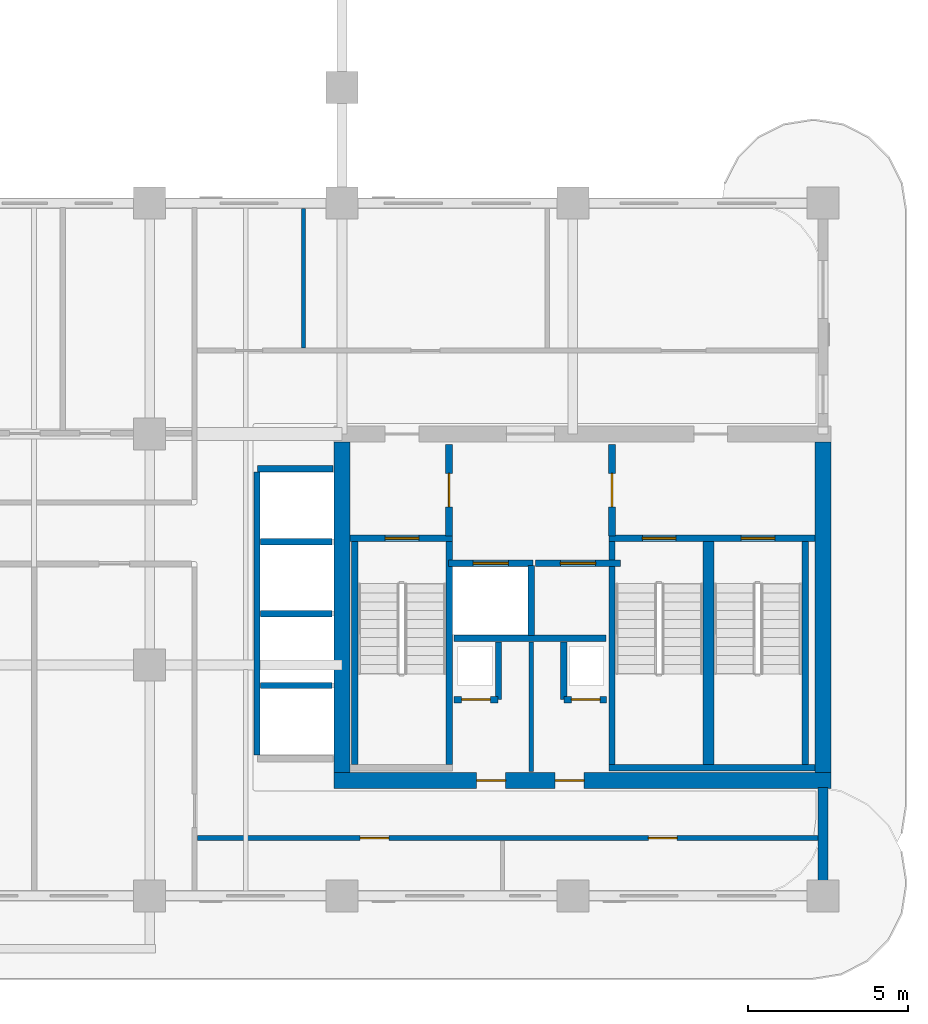
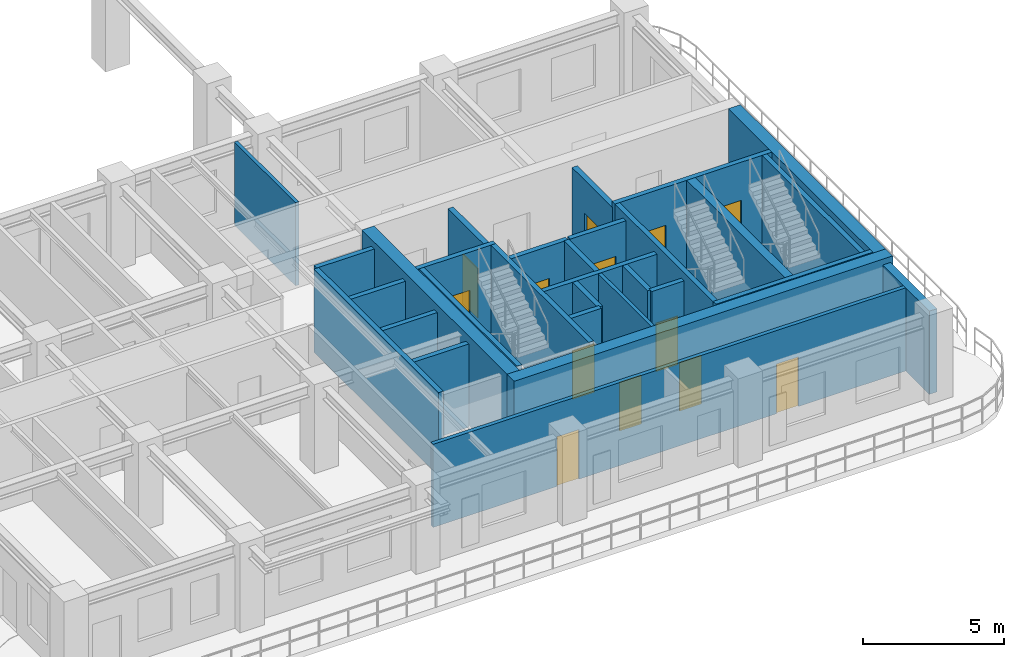
# One storey, part 7 of 15: 30 walls, 13 doors, 13 openings.
"""IFC4 building model written with IfcOpenShell, lengths in metres."""

from ifc_helpers import new_model, si_unit, derived_unit, direction, frame, frame_2d, origin, place, context, subcontext, project, spatial, rectangle, extrude, source, transform, mapped, material, layer, layer_set, type_object, type_shapes, element, fill, save


model = new_model("IFC4")

# Units and contexts
model_context = context("Model", 3, precision=1e-05, world=origin(), true_north=direction((0.0, 1.0)))
body_context = subcontext(model_context, "Body", "Model", "MODEL_VIEW")
ifc_project = project(units=[si_unit("LENGTHUNIT", "METRE"), si_unit("AREAUNIT", "SQUARE_METRE"), si_unit("VOLUMEUNIT", "CUBIC_METRE"), si_unit("PLANEANGLEUNIT", "RADIAN"), si_unit("MASSUNIT", "GRAM", prefix="KILO"), si_unit("THERMODYNAMICTEMPERATUREUNIT", "KELVIN"), si_unit("POWERUNIT", "WATT"), derived_unit("THERMALTRANSMITTANCEUNIT", [(si_unit("POWERUNIT", "WATT"), 1), (si_unit("AREAUNIT", "SQUARE_METRE"), -1), (si_unit("THERMODYNAMICTEMPERATUREUNIT", "KELVIN"), -1)])], contexts=[model_context])

# Site, building, storey
site_placement = place(None, origin())
site = spatial("IfcSite", under=ifc_project, at=site_placement, CompositionType="ELEMENT")
building_placement = place(site_placement, origin())
building = spatial("IfcBuilding", under=site, at=building_placement, Name="Zahravan Archway Hotel and Residences", CompositionType="ELEMENT")
storey_placement = place(building_placement, frame((0.0, 0.0, 184.949951171875)))
storey = spatial("IfcBuildingStorey", under=building, at=storey_placement, Name="L46", CompositionType="ELEMENT", Elevation=184.949951171875)

# Wall, openings, doors
ifc_material_1 = material(Name="Concrete C60/75", Category="concrete")
ifc_layer_1 = layer(ifc_material_1, 0.5, Name="Concrete C60/75", Category="concrete")
ifc_layer_set_1 = layer_set([ifc_layer_1], Name="Concrete C60/75")
wall_type_1 = type_object("IfcWallType", Name="CW-CORE-500", PredefinedType="SHEAR", material=ifc_layer_set_1)
wall_1_placement = place(storey_placement, frame((34.550048828125, 3.60009765625, 0.0), z_axis=(0.0, 0.0, 1.0), x_axis=(1.0, 0.0, 0.0)))
wall_1 = element("IfcWall", 1, at=wall_1_placement, inside=storey, type_object=wall_type_1, Name="L46 Core A Shear S Wall 500 mm", PredefinedType="SHEAR", context=body_context, shape_type="SweptSolid", body=[
    extrude(rectangle(XDim=15.5, YDim=0.5, at=frame_2d((7.75, 0.0))), origin(), (0.0, 0.0, 1.0), 3.85009765625),
])
opening_1_placement = place(wall_1_placement, frame((4.449951171875, 0.0, 0.0)))
opening_1 = element("IfcOpeningElement", 2, at=opening_1_placement, cuts=wall_1, Name="Opening FD-R1", PredefinedType="OPENING", context=body_context, shape_type="SweptSolid", body=[
    extrude(rectangle(XDim=0.89990234375, YDim=2.10009765625, at=frame_2d((0.449951171875, 1.050048828125))), frame((0.0, 0.260009765625, 0.0), z_axis=(0.0, -1.0, 0.0), x_axis=(1.0, 0.0, 0.0)), (0.0, 0.0, 1.0), 0.52001953125),
])
opening_2_placement = place(wall_1_placement, frame((6.89990234375, 0.0, 0.0)))
opening_2 = element("IfcOpeningElement", 3, at=opening_2_placement, cuts=wall_1, Name="Opening FD-R1", PredefinedType="OPENING", context=body_context, shape_type="SweptSolid", body=[
    extrude(rectangle(XDim=0.89990234375, YDim=2.10009765625, at=frame_2d((0.449951171875, 1.050048828125))), frame((0.0, 0.260009765625, 0.0), z_axis=(0.0, -1.0, 0.0), x_axis=(1.0, 0.0, 0.0)), (0.0, 0.0, 1.0), 0.52001953125),
])
ifc_material_2 = material(Name="Fire-Rated Painted Steel", Category="steel")
door_type_1 = type_object("IfcDoorType", Name="FD-RISER-900", OperationType="NOTDEFINED", PredefinedType="DOOR", material=ifc_material_2)
shared_shape_1 = source(origin(), body_context, "Body", "SweptSolid", [
    extrude(rectangle(XDim=0.89990234375, YDim=2.10009765625, at=frame_2d((0.449951171875, 1.050048828125))), frame((0.0, 0.02490234375, 0.0), z_axis=(0.0, -1.0, 0.0), x_axis=(1.0, 0.0, 0.0)), (0.0, 0.0, 1.0), 0.050048828125),
])
type_shapes(door_type_1, [shared_shape_1])
door_1_placement = place(opening_1_placement, origin())
door_1 = element("IfcDoor", 4, at=door_1_placement, inside=storey, type_object=door_type_1, Name="L46 Electrical Switchgear Door", OperationType="SINGLE_SWING_RIGHT", OverallHeight=2.10009765625, OverallWidth=0.89990234375, PredefinedType="DOOR", context=body_context, shape_type="MappedRepresentation", body=[
    mapped(shared_shape_1, transform((0.0, 0.0, 0.0), scale=1.0)),
])
fill(opening_1, door_1)
door_2_placement = place(opening_2_placement, origin())
door_2 = element("IfcDoor", 5, at=door_2_placement, inside=storey, type_object=door_type_1, Name="L46 Telecom BMS Door", OperationType="SINGLE_SWING_LEFT", OverallHeight=2.10009765625, OverallWidth=0.89990234375, PredefinedType="DOOR", context=body_context, shape_type="MappedRepresentation", body=[
    mapped(shared_shape_1, transform((0.0, 0.0, 0.0), scale=1.0)),
])
fill(opening_2, door_2)

# Walls
for number, where, z_axis, x_axis, name in (
    (6, (34.800048828125, 3.85009765625, 0.0), (0.0, 0.0, 1.0), (0.0, 1.0, 0.0), "L46 Core A Shear W Wall 500 mm"),
    (7, (49.800048828125, 3.85009765625, 0.0), (0.0, 0.0, 1.0), (0.0, 1.0, 0.0), "L46 Core A Shear E Wall 500 mm"),
):
    element("IfcWall", number, at=place(storey_placement, frame(where, z_axis=z_axis, x_axis=x_axis)), inside=storey, type_object=wall_type_1, Name=name, PredefinedType="SHEAR", context=body_context, shape_type="SweptSolid", body=[
        extrude(rectangle(XDim=10.2998046875, YDim=0.5, at=frame_2d((5.14990234375, 0.0))), origin(), (0.0, 0.0, 1.0), 3.85009765625),
    ])
ifc_material_3 = material(Name="Agra Buff Sandstone & Insulated Backup", Category="masonry")
ifc_layer_2 = layer(ifc_material_3, 0.320068359375, Name="Agra Buff Sandstone & Insulated Backup", Category="masonry")
ifc_layer_set_2 = layer_set([ifc_layer_2], Name="Agra Buff Sandstone & Insulated Backup")
wall_type_2 = type_object("IfcWallType", Name="EW-SAND-320", PredefinedType="SOLIDWALL", material=ifc_layer_set_2)
wall_2_placement = place(storey_placement, frame((49.800048828125, 0.050048828125, 0.0), z_axis=(0.0, 0.0, 1.0), x_axis=(0.0, 1.0, 0.0)))
element("IfcWall", 8, at=wall_2_placement, inside=storey, type_object=wall_type_2, Name="L46 Exterior Sandstone Wall WA-ES", PredefinedType="SOLIDWALL", context=body_context, shape_type="SweptSolid", body=[
    extrude(rectangle(XDim=3.329833984375, YDim=0.320068359375, at=frame_2d((1.6650390625, 0.0))), origin(), (0.0, 0.0, 1.0), 3.60009765625),
])

# Wall, opening, door
ifc_material_4 = material(Name="Fire-Rated Gypsum & Concrete Block", Category="concrete")
ifc_layer_3 = layer(ifc_material_4, 0.219970703125, Name="Fire-Rated Gypsum & Concrete Block", Category="concrete")
ifc_layer_set_3 = layer_set([ifc_layer_3], Name="Fire-Rated Gypsum & Concrete Block")
wall_type_3 = type_object("IfcWallType", Name="PW-COMP-220", PredefinedType="PARTITIONING", material=ifc_layer_set_3)
wall_3_placement = place(storey_placement, frame((38.139892578125, 11.219970703125, 0.0), z_axis=(0.0, 0.0, 1.0), x_axis=(0.0, 1.0, 0.0)))
wall_3 = element("IfcWall", 9, at=wall_3_placement, inside=storey, type_object=wall_type_3, Name="L46 Partition CA-LOBW", PredefinedType="PARTITIONING", context=body_context, shape_type="SweptSolid", body=[
    extrude(rectangle(XDim=2.860107421875, YDim=0.219970703125, at=frame_2d((1.43017578125, 0.0))), origin(), (0.0, 0.0, 1.0), 3.60009765625),
])
opening_3_placement = place(wall_3_placement, frame((0.905029296875, 0.0, 0.0)))
opening_3 = element("IfcOpeningElement", 10, at=opening_3_placement, cuts=wall_3, Name="Opening FD-L2", PredefinedType="OPENING", context=body_context, shape_type="SweptSolid", body=[
    extrude(rectangle(XDim=1.050048828125, YDim=2.14990234375, at=frame_2d((0.52490234375, 1.074951171875))), frame((0.0, 0.1201171875, 0.0), z_axis=(0.0, -1.0, 0.0), x_axis=(1.0, 0.0, 0.0)), (0.0, 0.0, 1.0), 0.239990234375),
])
door_type_2 = type_object("IfcDoorType", Name="FD-LOBBY-1100", OperationType="NOTDEFINED", PredefinedType="DOOR", material=ifc_material_2)
shared_shape_2 = source(origin(), body_context, "Body", "SweptSolid", [
    extrude(rectangle(XDim=1.050048828125, YDim=2.14990234375, at=frame_2d((0.52490234375, 1.074951171875))), frame((0.0, 0.02490234375, 0.0), z_axis=(0.0, -1.0, 0.0), x_axis=(1.0, 0.0, 0.0)), (0.0, 0.0, 1.0), 0.050048828125),
])
type_shapes(door_type_2, [shared_shape_2])
door_3_placement = place(opening_3_placement, origin())
door_3 = element("IfcDoor", 11, at=door_3_placement, inside=storey, type_object=door_type_2, Name="L46 Core A West Stair to FSAE Lobby Door", OperationType="SINGLE_SWING_RIGHT", OverallHeight=2.14990234375, OverallWidth=1.050048828125, PredefinedType="DOOR", context=body_context, shape_type="MappedRepresentation", body=[
    mapped(shared_shape_2, transform((0.0, 0.0, 0.0), scale=1.0)),
])
fill(opening_3, door_3)

wall_4_placement = place(storey_placement, frame((43.219970703125, 11.219970703125, 0.0), z_axis=(0.0, 0.0, 1.0), x_axis=(0.0, 1.0, 0.0)))
wall_4 = element("IfcWall", 12, at=wall_4_placement, inside=storey, type_object=wall_type_3, Name="L46 Partition CA-LOBE", PredefinedType="PARTITIONING", context=body_context, shape_type="SweptSolid", body=[
    extrude(rectangle(XDim=2.860107421875, YDim=0.219970703125, at=frame_2d((1.43017578125, 0.0))), origin(), (0.0, 0.0, 1.0), 3.60009765625),
])
opening_4_placement = place(wall_4_placement, frame((0.905029296875, 0.0, 0.0)))
opening_4 = element("IfcOpeningElement", 13, at=opening_4_placement, cuts=wall_4, Name="Opening FD-L2", PredefinedType="OPENING", context=body_context, shape_type="SweptSolid", body=[
    extrude(rectangle(XDim=1.050048828125, YDim=2.14990234375, at=frame_2d((0.52490234375, 1.074951171875))), frame((0.0, 0.1201171875, 0.0), z_axis=(0.0, -1.0, 0.0), x_axis=(1.0, 0.0, 0.0)), (0.0, 0.0, 1.0), 0.239990234375),
])
door_4_placement = place(opening_4_placement, origin())
door_4 = element("IfcDoor", 14, at=door_4_placement, inside=storey, type_object=door_type_2, Name="L46 Core A East Stair to FSAE Lobby Door", OperationType="SINGLE_SWING_LEFT", OverallHeight=2.14990234375, OverallWidth=1.050048828125, PredefinedType="DOOR", context=body_context, shape_type="MappedRepresentation", body=[
    mapped(shared_shape_2, transform((0.0, 0.0, 0.0), scale=1.0)),
])
fill(opening_4, door_4)

# Wall, openings, doors
ifc_layer_4 = layer(ifc_material_4, 0.159912109375, Name="Fire-Rated Gypsum & Concrete Block", Category="concrete")
ifc_layer_set_4 = layer_set([ifc_layer_4], Name="Fire-Rated Gypsum & Concrete Block")
wall_type_4 = type_object("IfcWallType", Name="PW-CORR-160", PredefinedType="PARTITIONING", material=ifc_layer_set_4)
wall_5_placement = place(storey_placement, frame((30.2900390625, 1.800048828125, 0.0), z_axis=(0.0, 0.0, 1.0), x_axis=(1.0, 0.0, 0.0)))
wall_5 = element("IfcWall", 15, at=wall_5_placement, inside=storey, type_object=wall_type_4, Name="L46 Partition WA-SRS", PredefinedType="PARTITIONING", context=body_context, shape_type="SweptSolid", body=[
    extrude(rectangle(XDim=19.369873046875, YDim=0.159912109375, at=frame_2d((9.68505859375, 0.0))), origin(), (0.0, 0.0, 1.0), 3.60009765625),
])
opening_5_placement = place(wall_5_placement, frame((5.07421875, 0.0, 0.0)))
opening_5 = element("IfcOpeningElement", 16, at=opening_5_placement, cuts=wall_5, Name="Opening D-I2", PredefinedType="OPENING", context=body_context, shape_type="SweptSolid", body=[
    extrude(rectangle(XDim=0.89990234375, YDim=2.14990234375, at=frame_2d((0.449951171875, 1.074951171875))), frame((0.0, 0.08984375, 0.0), z_axis=(0.0, -1.0, 0.0), x_axis=(1.0, 0.0, 0.0)), (0.0, 0.0, 1.0), 0.179931640625),
])
opening_6_placement = place(wall_5_placement, frame((14.06005859375, 0.0, 0.0)))
opening_6 = element("IfcOpeningElement", 17, at=opening_6_placement, cuts=wall_5, Name="Opening D-I2", PredefinedType="OPENING", context=body_context, shape_type="SweptSolid", body=[
    extrude(rectangle(XDim=0.89990234375, YDim=2.14990234375, at=frame_2d((0.449951171875, 1.074951171875))), frame((0.0, 0.08984375, 0.0), z_axis=(0.0, -1.0, 0.0), x_axis=(1.0, 0.0, 0.0)), (0.0, 0.0, 1.0), 0.179931640625),
])
ifc_material_5 = material(Name="Hardwood Veneer Timber", Category="wood")
door_type_3 = type_object("IfcDoorType", Name="ID-INT-900", OperationType="NOTDEFINED", PredefinedType="DOOR", material=ifc_material_5)
shared_shape_3 = source(origin(), body_context, "Body", "SweptSolid", [
    extrude(rectangle(XDim=0.89990234375, YDim=2.14990234375, at=frame_2d((0.449951171875, 1.074951171875))), frame((0.0, 0.02490234375, 0.0), z_axis=(0.0, -1.0, 0.0), x_axis=(1.0, 0.0, 0.0)), (0.0, 0.0, 1.0), 0.050048828125),
])
type_shapes(door_type_3, [shared_shape_3])
door_5_placement = place(opening_5_placement, origin())
door_5 = element("IfcDoor", 18, at=door_5_placement, inside=storey, type_object=door_type_3, Name="L46 South Study Door", OperationType="SINGLE_SWING_RIGHT", OverallHeight=2.14990234375, OverallWidth=0.89990234375, PredefinedType="DOOR", context=body_context, shape_type="MappedRepresentation", body=[
    mapped(shared_shape_3, transform((0.0, 0.0, 0.0), scale=1.0)),
])
fill(opening_5, door_5)
door_6_placement = place(opening_6_placement, origin())
door_6 = element("IfcDoor", 19, at=door_6_placement, inside=storey, type_object=door_type_3, Name="L46 South Pantry Door", OperationType="SINGLE_SWING_LEFT", OverallHeight=2.14990234375, OverallWidth=0.89990234375, PredefinedType="DOOR", context=body_context, shape_type="MappedRepresentation", body=[
    mapped(shared_shape_3, transform((0.0, 0.0, 0.0), scale=1.0)),
])
fill(opening_6, door_6)

# Walls
ifc_layer_5 = layer(ifc_material_4, 0.199951171875, Name="Fire-Rated Gypsum & Concrete Block", Category="concrete")
ifc_layer_set_5 = layer_set([ifc_layer_5], Name="Fire-Rated Gypsum & Concrete Block")
wall_type_5 = type_object("IfcWallType", Name="PW-SHAFT-200", PredefinedType="PARTITIONING", material=ifc_layer_set_5)
wall_6_placement = place(storey_placement, frame((38.300048828125, 8.030029296875, 0.0), z_axis=(0.0, 0.0, 1.0), x_axis=(1.0, 0.0, 0.0)))
element("IfcWall", 20, at=wall_6_placement, inside=storey, type_object=wall_type_5, Name="L46 Partition CA-FLS", PredefinedType="PARTITIONING", context=body_context, shape_type="SweptSolid", body=[
    extrude(rectangle(XDim=4.739990234375, YDim=0.199951171875, at=frame_2d((2.3701171875, 0.0))), origin(), (0.0, 0.0, 1.0), 3.60009765625),
])
wall_7_placement = place(storey_placement, frame((40.699951171875, 8.1201171875, 0.0), z_axis=(0.0, 0.0, 1.0), x_axis=(0.0, 1.0, 0.0)))
element("IfcWall", 21, at=wall_7_placement, inside=storey, type_object=wall_type_5, Name="L46 Partition CA-FLM", PredefinedType="PARTITIONING", context=body_context, shape_type="SweptSolid", body=[
    extrude(rectangle(XDim=2.179931640625, YDim=0.199951171875, at=frame_2d((1.08984375, 0.0))), origin(), (0.0, 0.0, 1.0), 3.60009765625),
])

# Wall, opening, door
wall_8_placement = place(storey_placement, frame((38.2900390625, 6.1201171875, 0.0), z_axis=(0.0, 0.0, 1.0), x_axis=(1.0, 0.0, 0.0)))
wall_8 = element("IfcWall", 22, at=wall_8_placement, inside=storey, type_object=wall_type_5, Name="L46 Partition CA-SMKS", PredefinedType="PARTITIONING", context=body_context, shape_type="SweptSolid", body=[
    extrude(rectangle(XDim=1.3798828125, YDim=0.199951171875, at=frame_2d((0.68994140625, 0.0))), origin(), (0.0, 0.0, 1.0), 3.60009765625),
])
opening_7_placement = place(wall_8_placement, frame((0.239990234375, 0.0, 0.0)))
opening_7 = element("IfcOpeningElement", 23, at=opening_7_placement, cuts=wall_8, Name="Opening FD-R1", PredefinedType="OPENING", context=body_context, shape_type="SweptSolid", body=[
    extrude(rectangle(XDim=0.89990234375, YDim=2.10009765625, at=frame_2d((0.449951171875, 1.050048828125))), frame((0.0, 0.10986328125, 0.0), z_axis=(0.0, -1.0, 0.0), x_axis=(1.0, 0.0, 0.0)), (0.0, 0.0, 1.0), 0.219970703125),
])
door_7_placement = place(opening_7_placement, origin())
door_7 = element("IfcDoor", 24, at=door_7_placement, inside=storey, type_object=door_type_1, Name="L46 Smoke Riser Access Door", OperationType="SINGLE_SWING_RIGHT", OverallHeight=2.10009765625, OverallWidth=0.89990234375, PredefinedType="DOOR", context=body_context, shape_type="MappedRepresentation", body=[
    mapped(shared_shape_1, transform((0.0, 0.0, 0.0), scale=1.0)),
])
fill(opening_7, door_7)

# Wall
wall_9_placement = place(storey_placement, frame((39.679931640625, 6.1298828125, 0.0), z_axis=(0.0, 0.0, 1.0), x_axis=(0.0, 1.0, 0.0)))
element("IfcWall", 25, at=wall_9_placement, inside=storey, type_object=wall_type_5, Name="L46 Partition CA-SMKE", PredefinedType="PARTITIONING", context=body_context, shape_type="SweptSolid", body=[
    extrude(rectangle(XDim=1.7900390625, YDim=0.199951171875, at=frame_2d((0.89501953125, 0.0))), origin(), (0.0, 0.0, 1.0), 3.60009765625),
])

# Wall, opening, door
wall_10_placement = place(storey_placement, frame((41.72998046875, 6.1201171875, 0.0), z_axis=(0.0, 0.0, 1.0), x_axis=(1.0, 0.0, 0.0)))
wall_10 = element("IfcWall", 26, at=wall_10_placement, inside=storey, type_object=wall_type_5, Name="L46 Partition CA-MEPS", PredefinedType="PARTITIONING", context=body_context, shape_type="SweptSolid", body=[
    extrude(rectangle(XDim=1.320068359375, YDim=0.199951171875, at=frame_2d((0.66015625, 0.0))), origin(), (0.0, 0.0, 1.0), 3.60009765625),
])
opening_8_placement = place(wall_10_placement, frame((0.219970703125, 0.0, 0.0)))
opening_8 = element("IfcOpeningElement", 27, at=opening_8_placement, cuts=wall_10, Name="Opening FD-R1", PredefinedType="OPENING", context=body_context, shape_type="SweptSolid", body=[
    extrude(rectangle(XDim=0.89990234375, YDim=2.10009765625, at=frame_2d((0.449951171875, 1.050048828125))), frame((0.0, 0.10986328125, 0.0), z_axis=(0.0, -1.0, 0.0), x_axis=(1.0, 0.0, 0.0)), (0.0, 0.0, 1.0), 0.219970703125),
])
door_8_placement = place(opening_8_placement, origin())
door_8 = element("IfcDoor", 28, at=door_8_placement, inside=storey, type_object=door_type_1, Name="L46 MEP Riser Access Door", OperationType="SINGLE_SWING_LEFT", OverallHeight=2.10009765625, OverallWidth=0.89990234375, PredefinedType="DOOR", context=body_context, shape_type="MappedRepresentation", body=[
    mapped(shared_shape_1, transform((0.0, 0.0, 0.0), scale=1.0)),
])
fill(opening_8, door_8)

# Walls
wall_11_placement = place(storey_placement, frame((41.719970703125, 6.1298828125, 0.0), z_axis=(0.0, 0.0, 1.0), x_axis=(0.0, 1.0, 0.0)))
element("IfcWall", 29, at=wall_11_placement, inside=storey, type_object=wall_type_5, Name="L46 Partition CA-MEPW", PredefinedType="PARTITIONING", context=body_context, shape_type="SweptSolid", body=[
    extrude(rectangle(XDim=1.7900390625, YDim=0.199951171875, at=frame_2d((0.89501953125, 0.0))), origin(), (0.0, 0.0, 1.0), 3.60009765625),
])
wall_12_placement = place(storey_placement, frame((32.159912109375, 13.320068359375, 0.0), z_axis=(0.0, 0.0, 1.0), x_axis=(1.0, 0.0, 0.0)))
element("IfcWall", 30, at=wall_12_placement, inside=storey, type_object=wall_type_5, Name="L46 Partition B3-N", PredefinedType="PARTITIONING", context=body_context, shape_type="SweptSolid", body=[
    extrude(rectangle(XDim=2.360107421875, YDim=0.199951171875, at=frame_2d((1.18017578125, 0.0))), origin(), (0.0, 0.0, 1.0), 3.60009765625),
])
wall_13_placement = place(storey_placement, frame((32.14990234375, 4.389892578125, 0.0), z_axis=(0.0, 0.0, 1.0), x_axis=(0.0, 1.0, 0.0)))
element("IfcWall", 31, at=wall_13_placement, inside=storey, type_object=wall_type_5, Name="L46 Partition B3-W", PredefinedType="PARTITIONING", context=body_context, shape_type="SweptSolid", body=[
    extrude(rectangle(XDim=8.820068359375, YDim=0.199951171875, at=frame_2d((4.41015625, 0.0))), origin(), (0.0, 0.0, 1.0), 3.60009765625),
])
for number, where, z_axis, x_axis, name in (
    (32, (32.260009765625, 6.56005859375, 0.0), (0.0, 0.0, 1.0), (1.0, 0.0, 0.0), "L46 Partition B3-D"),
    (33, (32.260009765625, 8.800048828125, 0.0), (0.0, 0.0, 1.0), (1.0, 0.0, 0.0), "L46 Partition B3-D"),
    (34, (32.260009765625, 11.0400390625, 0.0), (0.0, 0.0, 1.0), (1.0, 0.0, 0.0), "L46 Partition B3-D"),
):
    element("IfcWall", number, at=place(storey_placement, frame(where, z_axis=z_axis, x_axis=x_axis)), inside=storey, type_object=wall_type_5, Name=name, PredefinedType="PARTITIONING", context=body_context, shape_type="SweptSolid", body=[
        extrude(rectangle(XDim=2.22998046875, YDim=0.199951171875, at=frame_2d((1.114990234375, 0.0))), origin(), (0.0, 0.0, 1.0), 3.60009765625),
    ])

# Wall, opening, door
wall_14_placement = place(storey_placement, frame((38.1201171875, 10.3701171875, 0.0), z_axis=(0.0, 0.0, 1.0), x_axis=(1.0, 0.0, 0.0)))
wall_14 = element("IfcWall", 35, at=wall_14_placement, inside=storey, type_object=wall_type_5, Name="L46 Lift FL-1 Front Wall", PredefinedType="PARTITIONING", context=body_context, shape_type="SweptSolid", body=[
    extrude(rectangle(XDim=2.639892578125, YDim=0.199951171875, at=frame_2d((1.31982421875, 0.0))), origin(), (0.0, 0.0, 1.0), 3.60009765625),
])
opening_9_placement = place(wall_14_placement, frame((0.77001953125, 0.0, 0.0)))
opening_9 = element("IfcOpeningElement", 36, at=opening_9_placement, cuts=wall_14, Name="Opening LD", PredefinedType="OPENING", context=body_context, shape_type="SweptSolid", body=[
    extrude(rectangle(XDim=1.10009765625, YDim=2.199951171875, at=frame_2d((0.550048828125, 1.10009765625))), frame((0.0, 0.10986328125, 0.0), z_axis=(0.0, -1.0, 0.0), x_axis=(1.0, 0.0, 0.0)), (0.0, 0.0, 1.0), 0.219970703125),
])
ifc_material_6 = material(Name="Brushed Stainless Steel", Category="steel")
door_type_4 = type_object("IfcDoorType", Name="DR-LIFT-LD", OperationType="SLIDING_TO_LEFT", PredefinedType="DOOR", material=ifc_material_6)
shared_shape_4 = source(origin(), body_context, "Body", "SweptSolid", [
    extrude(rectangle(XDim=1.10009765625, YDim=2.199951171875, at=frame_2d((0.550048828125, 1.10009765625))), frame((0.0, 0.02490234375, 0.0), z_axis=(0.0, -1.0, 0.0), x_axis=(1.0, 0.0, 0.0)), (0.0, 0.0, 1.0), 0.050048828125),
])
type_shapes(door_type_4, [shared_shape_4])
door_9_placement = place(opening_9_placement, origin())
door_9 = element("IfcDoor", 37, at=door_9_placement, inside=storey, type_object=door_type_4, Name="L46 Lift FL-1 Sliding Landing Door", OperationType="SLIDING_TO_LEFT", OverallHeight=2.199951171875, OverallWidth=1.10009765625, PredefinedType="DOOR", context=body_context, shape_type="MappedRepresentation", body=[
    mapped(shared_shape_4, transform((0.0, 0.0, 0.0), scale=1.0)),
])
fill(opening_9, door_9)

wall_15_placement = place(storey_placement, frame((40.840087890625, 10.3701171875, 0.0), z_axis=(0.0, 0.0, 1.0), x_axis=(1.0, 0.0, 0.0)))
wall_15 = element("IfcWall", 38, at=wall_15_placement, inside=storey, type_object=wall_type_5, Name="L46 Lift FL-2 Front Wall", PredefinedType="PARTITIONING", context=body_context, shape_type="SweptSolid", body=[
    extrude(rectangle(XDim=2.639892578125, YDim=0.199951171875, at=frame_2d((1.31982421875, 0.0))), origin(), (0.0, 0.0, 1.0), 3.60009765625),
])
opening_10_placement = place(wall_15_placement, frame((0.77001953125, 0.0, 0.0)))
opening_10 = element("IfcOpeningElement", 39, at=opening_10_placement, cuts=wall_15, Name="Opening LD", PredefinedType="OPENING", context=body_context, shape_type="SweptSolid", body=[
    extrude(rectangle(XDim=1.10009765625, YDim=2.199951171875, at=frame_2d((0.550048828125, 1.10009765625))), frame((0.0, 0.10986328125, 0.0), z_axis=(0.0, -1.0, 0.0), x_axis=(1.0, 0.0, 0.0)), (0.0, 0.0, 1.0), 0.219970703125),
])
door_10_placement = place(opening_10_placement, origin())
door_10 = element("IfcDoor", 40, at=door_10_placement, inside=storey, type_object=door_type_4, Name="L46 Lift FL-2 Sliding Landing Door", OperationType="SLIDING_TO_LEFT", OverallHeight=2.199951171875, OverallWidth=1.10009765625, PredefinedType="DOOR", context=body_context, shape_type="MappedRepresentation", body=[
    mapped(shared_shape_4, transform((0.0, 0.0, 0.0), scale=1.0)),
])
fill(opening_10, door_10)

# Walls
ifc_material_7 = material(Name="Moisture-Resistant Blockwork", Category="masonry")
ifc_layer_6 = layer(ifc_material_7, 0.139892578125, Name="Moisture-Resistant Blockwork", Category="masonry")
ifc_layer_set_6 = layer_set([ifc_layer_6], Name="Moisture-Resistant Blockwork")
wall_type_6 = type_object("IfcWallType", Name="PW-WET-140", PredefinedType="PARTITIONING", material=ifc_layer_set_6)
wall_16_placement = place(storey_placement, frame((40.699951171875, 3.8701171875, 0.0), z_axis=(0.0, 0.0, 1.0), x_axis=(0.0, 1.0, 0.0)))
element("IfcWall", 41, at=wall_16_placement, inside=storey, type_object=wall_type_6, Name="L46 Partition CA-CV0", PredefinedType="PARTITIONING", context=body_context, shape_type="SweptSolid", body=[
    extrude(rectangle(XDim=4.039794921875, YDim=0.139892578125, at=frame_2d((2.02001953125, 0.0))), origin(), (0.0, 0.0, 1.0), 3.60009765625),
])
wall_17_placement = place(storey_placement, frame((33.60009765625, 17.090087890625, 0.0), z_axis=(0.0, 0.0, 1.0), x_axis=(0.0, 1.0, 0.0)))
element("IfcWall", 42, at=wall_17_placement, inside=storey, type_object=wall_type_6, Name="L46 Partition NE0-1", PredefinedType="PARTITIONING", context=body_context, shape_type="SweptSolid", body=[
    extrude(rectangle(XDim=4.341796875, YDim=0.139892578125, at=frame_2d((2.1708984375, 0.0))), origin(), (0.0, 0.0, 1.0), 3.60009765625),
])
ifc_material_8 = material(Name="Concrete C50/60", Category="concrete")
ifc_layer_7 = layer(ifc_material_8, 0.199951171875, Name="Concrete C50/60", Category="concrete")
ifc_layer_set_7 = layer_set([ifc_layer_7], Name="Concrete C50/60")
wall_type_7 = type_object("IfcWallType", Name="SW-STAIR-200", PredefinedType="SHEAR", material=ifc_layer_set_7)
for number, where, z_axis, x_axis, name in (
    (43, (35.199951171875, 4.10009765625, 0.0), (0.0, 0.0, 1.0), (0.0, 1.0, 0.0), "L46 Stairwell RC Wall CA-SA1W"),
    (44, (38.139892578125, 4.10009765625, 0.0), (0.0, 0.0, 1.0), (0.0, 1.0, 0.0), "L46 Stairwell RC Wall CA-SA1E"),
):
    element("IfcWall", number, at=place(storey_placement, frame(where, z_axis=z_axis, x_axis=x_axis)), inside=storey, type_object=wall_type_7, Name=name, PredefinedType="SHEAR", context=body_context, shape_type="SweptSolid", body=[
        extrude(rectangle(XDim=6.949951171875, YDim=0.199951171875, at=frame_2d((3.47509765625, 0.0))), origin(), (0.0, 0.0, 1.0), 3.85009765625),
    ])

# Wall, opening, door
wall_18_placement = place(storey_placement, frame((35.050048828125, 11.14990234375, 0.0), z_axis=(0.0, 0.0, 1.0), x_axis=(1.0, 0.0, 0.0)))
wall_18 = element("IfcWall", 45, at=wall_18_placement, inside=storey, type_object=wall_type_7, Name="L46 Stairwell RC Wall CA-SA1N", PredefinedType="SHEAR", context=body_context, shape_type="SweptSolid", body=[
    extrude(rectangle(XDim=3.18994140625, YDim=0.199951171875, at=frame_2d((1.594970703125, 0.0))), origin(), (0.0, 0.0, 1.0), 3.85009765625),
])
opening_11_placement = place(wall_18_placement, frame((1.094970703125, 0.0, 0.0)))
opening_11 = element("IfcOpeningElement", 46, at=opening_11_placement, cuts=wall_18, Name="Opening FD-S1", PredefinedType="OPENING", context=body_context, shape_type="SweptSolid", body=[
    extrude(rectangle(XDim=1.050048828125, YDim=2.199951171875, at=frame_2d((0.52490234375, 1.10009765625))), frame((0.0, 0.10986328125, 0.0), z_axis=(0.0, -1.0, 0.0), x_axis=(1.0, 0.0, 0.0)), (0.0, 0.0, 1.0), 0.219970703125),
])
door_type_5 = type_object("IfcDoorType", Name="FD-STAIR-1100", OperationType="NOTDEFINED", PredefinedType="DOOR", material=ifc_material_2)
shared_shape_5 = source(origin(), body_context, "Body", "SweptSolid", [
    extrude(rectangle(XDim=1.050048828125, YDim=2.199951171875, at=frame_2d((0.52490234375, 1.10009765625))), frame((0.0, 0.02490234375, 0.0), z_axis=(0.0, -1.0, 0.0), x_axis=(1.0, 0.0, 0.0)), (0.0, 0.0, 1.0), 0.050048828125),
])
type_shapes(door_type_5, [shared_shape_5])
door_11_placement = place(opening_11_placement, origin())
door_11 = element("IfcDoor", 47, at=door_11_placement, inside=storey, type_object=door_type_5, Name="L46 Stair ST-A1 Door", OperationType="SINGLE_SWING_LEFT", OverallHeight=2.199951171875, OverallWidth=1.050048828125, PredefinedType="DOOR", context=body_context, shape_type="MappedRepresentation", body=[
    mapped(shared_shape_5, transform((0.0, 0.0, 0.0), scale=1.0)),
])
fill(opening_11, door_11)

# Walls
wall_19_placement = place(storey_placement, frame((43.1201171875, 4.0, 0.0), z_axis=(0.0, 0.0, 1.0), x_axis=(1.0, 0.0, 0.0)))
element("IfcWall", 48, at=wall_19_placement, inside=storey, type_object=wall_type_7, Name="L46 Stairwell RC Wall CA-SA23S", PredefinedType="SHEAR", context=body_context, shape_type="SweptSolid", body=[
    extrude(rectangle(XDim=6.429931640625, YDim=0.199951171875, at=frame_2d((3.21484375, 0.0))), origin(), (0.0, 0.0, 1.0), 3.85009765625),
])
for number, where, z_axis, x_axis, name in (
    (49, (43.219970703125, 4.10009765625, 0.0), (0.0, 0.0, 1.0), (0.0, 1.0, 0.0), "L46 Stairwell RC Wall CA-SA2W"),
    (50, (49.239990234375, 4.10009765625, 0.0), (0.0, 0.0, 1.0), (0.0, 1.0, 0.0), "L46 Stairwell RC Wall CA-SA3E"),
):
    element("IfcWall", number, at=place(storey_placement, frame(where, z_axis=z_axis, x_axis=x_axis)), inside=storey, type_object=wall_type_7, Name=name, PredefinedType="SHEAR", context=body_context, shape_type="SweptSolid", body=[
        extrude(rectangle(XDim=6.949951171875, YDim=0.199951171875, at=frame_2d((3.47509765625, 0.0))), origin(), (0.0, 0.0, 1.0), 3.85009765625),
    ])

# Wall, openings, doors
wall_20_placement = place(storey_placement, frame((43.1201171875, 11.14990234375, 0.0), z_axis=(0.0, 0.0, 1.0), x_axis=(1.0, 0.0, 0.0)))
wall_20 = element("IfcWall", 51, at=wall_20_placement, inside=storey, type_object=wall_type_7, Name="L46 Stairwell RC Wall CA-SA23N", PredefinedType="SHEAR", context=body_context, shape_type="SweptSolid", body=[
    extrude(rectangle(XDim=6.429931640625, YDim=0.199951171875, at=frame_2d((3.21484375, 0.0))), origin(), (0.0, 0.0, 1.0), 3.85009765625),
])
opening_12_placement = place(wall_20_placement, frame((1.044921875, 0.0, 0.0)))
opening_12 = element("IfcOpeningElement", 52, at=opening_12_placement, cuts=wall_20, Name="Opening FD-S1", PredefinedType="OPENING", context=body_context, shape_type="SweptSolid", body=[
    extrude(rectangle(XDim=1.050048828125, YDim=2.199951171875, at=frame_2d((0.52490234375, 1.10009765625))), frame((0.0, 0.10986328125, 0.0), z_axis=(0.0, -1.0, 0.0), x_axis=(1.0, 0.0, 0.0)), (0.0, 0.0, 1.0), 0.219970703125),
])
opening_13_placement = place(wall_20_placement, frame((4.125, 0.0, 0.0)))
opening_13 = element("IfcOpeningElement", 53, at=opening_13_placement, cuts=wall_20, Name="Opening FD-S1", PredefinedType="OPENING", context=body_context, shape_type="SweptSolid", body=[
    extrude(rectangle(XDim=1.050048828125, YDim=2.199951171875, at=frame_2d((0.52490234375, 1.10009765625))), frame((0.0, 0.10986328125, 0.0), z_axis=(0.0, -1.0, 0.0), x_axis=(1.0, 0.0, 0.0)), (0.0, 0.0, 1.0), 0.219970703125),
])
door_12_placement = place(opening_12_placement, origin())
door_12 = element("IfcDoor", 54, at=door_12_placement, inside=storey, type_object=door_type_5, Name="L46 Stair ST-A2 Door", OperationType="SINGLE_SWING_RIGHT", OverallHeight=2.199951171875, OverallWidth=1.050048828125, PredefinedType="DOOR", context=body_context, shape_type="MappedRepresentation", body=[
    mapped(shared_shape_5, transform((0.0, 0.0, 0.0), scale=1.0)),
])
fill(opening_12, door_12)
door_13_placement = place(opening_13_placement, origin())
door_13 = element("IfcDoor", 55, at=door_13_placement, inside=storey, type_object=door_type_5, Name="L46 Stair ST-A3 Door", OperationType="SINGLE_SWING_LEFT", OverallHeight=2.199951171875, OverallWidth=1.050048828125, PredefinedType="DOOR", context=body_context, shape_type="MappedRepresentation", body=[
    mapped(shared_shape_5, transform((0.0, 0.0, 0.0), scale=1.0)),
])
fill(opening_13, door_13)

# Wall
ifc_layer_8 = layer(ifc_material_8, 0.340087890625, Name="Concrete C50/60", Category="concrete")
ifc_layer_set_8 = layer_set([ifc_layer_8], Name="Concrete C50/60")
wall_type_8 = type_object("IfcWallType", Name="SW-STAIR-340", PredefinedType="SHEAR", material=ifc_layer_set_8)
wall_21_placement = place(storey_placement, frame((46.22998046875, 4.10009765625, 0.0), z_axis=(0.0, 0.0, 1.0), x_axis=(0.0, 1.0, 0.0)))
element("IfcWall", 56, at=wall_21_placement, inside=storey, type_object=wall_type_8, Name="L46 Stairwell RC Wall CA-SA23M", PredefinedType="SHEAR", context=body_context, shape_type="SweptSolid", body=[
    extrude(rectangle(XDim=6.949951171875, YDim=0.340087890625, at=frame_2d((3.47509765625, 0.0))), origin(), (0.0, 0.0, 1.0), 3.85009765625),
])

save(model, "model.ifc")
